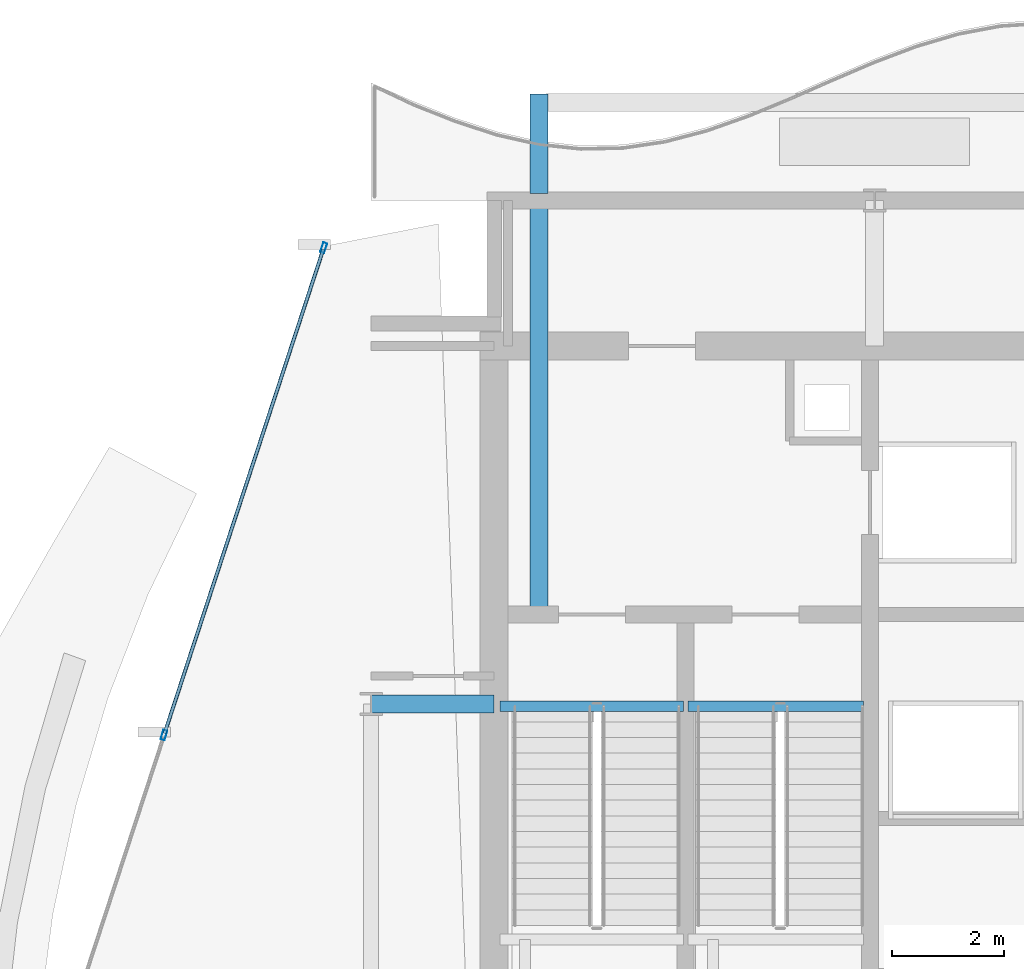
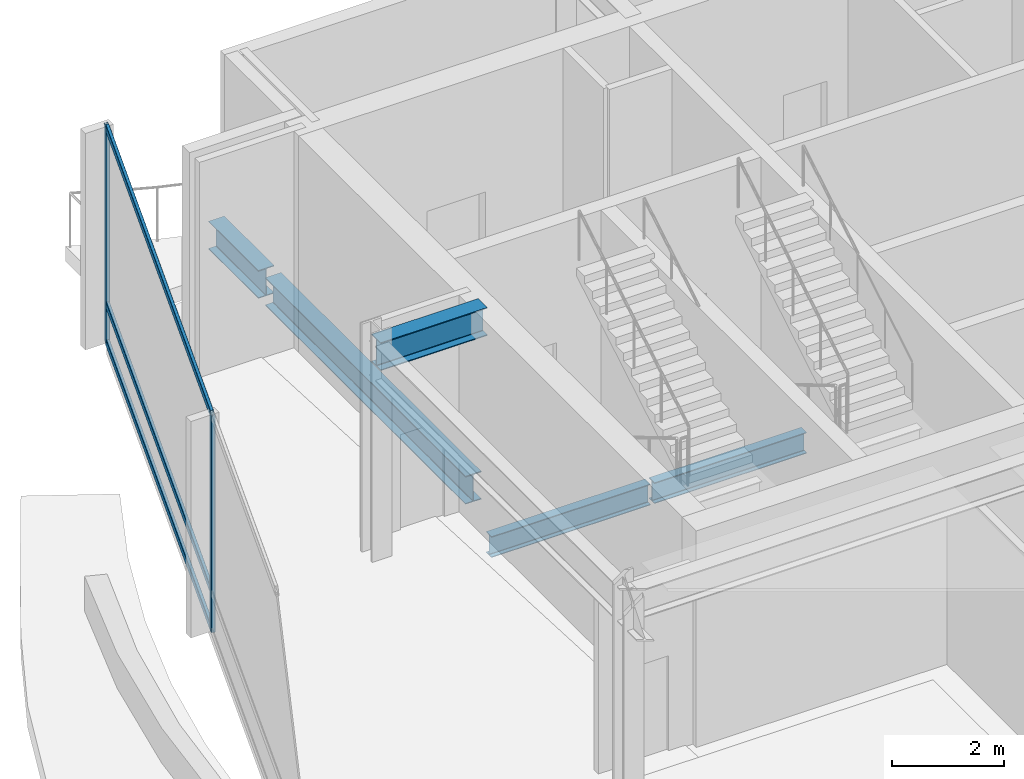
# One storey, part 16 of 29: 5 beams, 5 members, 1 element without a shape of its own.
"""IFC4 building model written with IfcOpenShell, lengths in metres."""

from ifc_helpers import new_model, si_unit, direction, frame, origin, origin_2d, place, context, subcontext, project, spatial, hollow_rectangle, i_section, extrude, material, layer, layer_set, material_profile, profile_set, type_object, element, aggregate, save


model = new_model("IFC4")

# Units and contexts
model_context = context("Model", 3, precision=1e-05, world=origin(), true_north=direction((0.0, 1.0)))
body_context = subcontext(model_context, "Body", "Model", "MODEL_VIEW")
ifc_project = project(units=[si_unit("LENGTHUNIT", "METRE"), si_unit("AREAUNIT", "SQUARE_METRE"), si_unit("VOLUMEUNIT", "CUBIC_METRE"), si_unit("PLANEANGLEUNIT", "RADIAN"), si_unit("MASSUNIT", "GRAM", prefix="KILO")], contexts=[model_context])

# Site, building, storey
site_placement = place(None, origin())
site = spatial("IfcSite", under=ifc_project, at=site_placement, CompositionType="ELEMENT")
building_placement = place(site_placement, origin())
building = spatial("IfcBuilding", under=site, at=building_placement, Name="Solvaryn Broadcast Tower", CompositionType="ELEMENT")
storey_placement = place(building_placement, frame((0.0, 0.0, 169.199951171875)))
storey = spatial("IfcBuildingStorey", under=building, at=storey_placement, Name="L42", CompositionType="ELEMENT", Elevation=169.199951171875)

# Beams
ifc_material_1 = material(Name="Steel ASTM A992 Grade 50", Category="steel")
ifc_material_profile_1 = material_profile(ifc_material_1, i_section(OverallWidth=0.323974609375, OverallDepth=0.611083984375, WebThickness=0.0126953125, FlangeThickness=0.01904296875, FilletRadius=0.014892578125, at=origin_2d()))
ifc_profile_set_1 = profile_set([ifc_material_profile_1], Name="Steel ASTM A992 Grade 50")
beam_type_1 = type_object("IfcBeamType", Name="BM-B1-W24X104", PredefinedType="BEAM", material=ifc_profile_set_1)
beam_1_placement = place(storey_placement, frame((12.0, 37.72509765625, -0.635498046875), z_axis=(0.0, 1.0, 0.0), x_axis=(-1.0, 0.0, 0.0)))
element("IfcBeam", 1, at=beam_1_placement, inside=storey, type_object=beam_type_1, Name="L42 North Terrace Back-Span Beam 12.0", PredefinedType="BEAM", context=body_context, shape_type="SweptSolid", body=[
    extrude(i_section(OverallWidth=0.323974609375, OverallDepth=0.611083984375, WebThickness=0.0126953125, FlangeThickness=0.01904296875, FilletRadius=0.014892578125, at=origin_2d()), origin(), (0.0, 0.0, 1.0), 7.14990234375),
])
beam_2_placement = place(storey_placement, frame((9.0, 36.0, 4.41455078125), z_axis=(1.0, 0.0, 0.0), x_axis=(0.0, 1.0, 0.0)))
element("IfcBeam", 2, at=beam_2_placement, inside=storey, type_object=beam_type_1, Name="L42 Core Tie Beam CTW1", PredefinedType="BEAM", context=body_context, shape_type="SweptSolid", body=[
    extrude(i_section(OverallWidth=0.323974609375, OverallDepth=0.611083984375, WebThickness=0.0126953125, FlangeThickness=0.01904296875, FilletRadius=0.014892578125, at=origin_2d()), origin(), (0.0, 0.0, 1.0), 2.199951171875),
])
ifc_material_2 = material(Name="Steel ASTM A992 Grade 50", Category="steel")
ifc_material_profile_2 = material_profile(ifc_material_2, i_section(OverallWidth=0.18994140625, OverallDepth=0.45703125, WebThickness=0.009033203125, FlangeThickness=0.014404296875, FilletRadius=0.011962890625, at=origin_2d()))
ifc_profile_set_2 = profile_set([ifc_material_profile_2], Name="Steel ASTM A992 Grade 50")
beam_type_2 = type_object("IfcBeamType", Name="BM-B4-W18X50", PredefinedType="BEAM", material=ifc_profile_set_2)
beam_3_placement = place(storey_placement, frame((11.300048828125, 35.9599609375, -0.558349609375), z_axis=(1.0, 0.0, 0.0), x_axis=(0.0, 1.0, 0.0)))
element("IfcBeam", 3, at=beam_3_placement, inside=storey, type_object=beam_type_2, Name="L42 ST1 Stair Well Trimmer Beam", PredefinedType="BEAM", context=body_context, shape_type="SweptSolid", body=[
    extrude(i_section(OverallWidth=0.18994140625, OverallDepth=0.45703125, WebThickness=0.009033203125, FlangeThickness=0.014404296875, FilletRadius=0.011962890625, at=origin_2d()), origin(), (0.0, 0.0, 1.0), 3.280029296875),
])
beam_4_placement = place(storey_placement, frame((14.659912109375, 35.9599609375, -0.558349609375), z_axis=(1.0, 0.0, 0.0), x_axis=(0.0, 1.0, 0.0)))
element("IfcBeam", 4, at=beam_4_placement, inside=storey, type_object=beam_type_2, Name="L42 ST2 Stair Well Trimmer Beam", PredefinedType="BEAM", context=body_context, shape_type="SweptSolid", body=[
    extrude(i_section(OverallWidth=0.18994140625, OverallDepth=0.45703125, WebThickness=0.009033203125, FlangeThickness=0.014404296875, FilletRadius=0.011962890625, at=origin_2d()), origin(), (0.0, 0.0, 1.0), 3.14013671875),
])
ifc_material_3 = material(Name="Steel ASTM A992 Grade 50", Category="steel")
ifc_material_profile_3 = material_profile(ifc_material_3, i_section(OverallWidth=0.323974609375, OverallDepth=0.611083984375, WebThickness=0.0126953125, FlangeThickness=0.01904296875, FilletRadius=0.014892578125, at=origin_2d()))
ifc_profile_set_3 = profile_set([ifc_material_profile_3], Name="Steel ASTM A992 Grade 50")
beam_type_3 = type_object("IfcBeamType", Name="BM-CANT-TER", PredefinedType="BEAM", material=ifc_profile_set_3)
beam_5_placement = place(storey_placement, frame((12.0, 45.125, -0.635498046875), z_axis=(0.0, 1.0, 0.0), x_axis=(-1.0, 0.0, 0.0)))
element("IfcBeam", 5, at=beam_5_placement, inside=storey, type_object=beam_type_3, Name="L42 North Terrace Cantilever Beam 12.0", PredefinedType="BEAM", context=body_context, shape_type="SweptSolid", body=[
    extrude(i_section(OverallWidth=0.323974609375, OverallDepth=0.611083984375, WebThickness=0.0126953125, FlangeThickness=0.01904296875, FilletRadius=0.014892578125, at=origin_2d()), origin(), (0.0, 0.0, 1.0), 1.77490234375),
])

# Curtain wall, members
ifc_material_4 = material(Name="Aluminium and Terracotta Unitised Curtain Wall", Category="masonry")
ifc_layer = layer(ifc_material_4, 0.25)
ifc_layer_set = layer_set([ifc_layer], Name="CW-SYS4-SKYGARDEN")
curtain_wall_type = type_object("IfcCurtainWallType", Name="CW-SYS4-SKYGARDEN", PredefinedType="NOTDEFINED", material=ifc_layer_set)
curtain_wall_placement = place(storey_placement, origin())
curtain_wall = element("IfcCurtainWall", 6, at=curtain_wall_placement, inside=storey, type_object=curtain_wall_type, Name="L42 Curtain Wall DR1", PredefinedType="NOTDEFINED")
ifc_material_5 = material(Name="Anodised Aluminium 6063-T6", Category="aluminium")
ifc_material_profile_4 = material_profile(ifc_material_5, hollow_rectangle(XDim=0.074951171875, YDim=0.179931640625, WallThickness=0.00390625, InnerFilletRadius=0.00390625, OuterFilletRadius=0.008056640625, at=origin_2d()))
ifc_profile_set_4 = profile_set([ifc_material_profile_4], Name="Anodised Aluminium 6063-T6")
member_type_1 = type_object("IfcMemberType", Name="CW-MUL-180", PredefinedType="MULLION", material=ifc_profile_set_4)
member_1_placement = place(storey_placement, frame((8.153564453125, 44.153564453125, 0.0), z_axis=(0.0, 0.0, 1.0), x_axis=(0.950226902099, -0.311558717623, 0.0)))
member_1 = element("IfcMember", 7, at=member_1_placement, type_object=member_type_1, Name="CWS4 mullion 1", PredefinedType="MULLION", context=body_context, shape_type="SweptSolid", body=[
    extrude(hollow_rectangle(XDim=0.074951171875, YDim=0.179931640625, WallThickness=0.00390625, InnerFilletRadius=0.00390625, OuterFilletRadius=0.008056640625, at=origin_2d()), origin(), (0.0, 0.0, 1.0), 4.719970703125),
])
member_2_placement = place(storey_placement, frame((5.298095703125, 35.444091796875, 0.0), z_axis=(0.0, 0.0, 1.0), x_axis=(0.950226902099, -0.311558717623, 0.0)))
member_2 = element("IfcMember", 8, at=member_2_placement, type_object=member_type_1, Name="CWS4 mullion 2", PredefinedType="MULLION", context=body_context, shape_type="SweptSolid", body=[
    extrude(hollow_rectangle(XDim=0.074951171875, YDim=0.179931640625, WallThickness=0.00390625, InnerFilletRadius=0.00390625, OuterFilletRadius=0.008056640625, at=origin_2d()), origin(), (0.0, 0.0, 1.0), 4.719970703125),
])
ifc_material_6 = material(Name="Anodised Aluminium 6063-T6", Category="aluminium")
ifc_material_profile_5 = material_profile(ifc_material_6, hollow_rectangle(XDim=0.06494140625, YDim=0.14990234375, WallThickness=0.00390625, InnerFilletRadius=0.00390625, OuterFilletRadius=0.008056640625, at=origin_2d()))
ifc_profile_set_5 = profile_set([ifc_material_profile_5], Name="Anodised Aluminium 6063-T6")
member_type_2 = type_object("IfcMemberType", Name="CW-TRN-150", PredefinedType="USERDEFINED", material=ifc_profile_set_5)
member_3_placement = place(storey_placement, frame((8.144287109375, 44.125, 0.030029296875), z_axis=(-0.311550669172, -0.950229540973, 0.0), x_axis=(0.950229540973, -0.311550669172, 0.0)))
member_3 = element("IfcMember", 9, at=member_3_placement, type_object=member_type_2, Name="CWS4 transom 1.1", ObjectType="TRANSOM", PredefinedType="USERDEFINED", context=body_context, shape_type="SweptSolid", body=[
    extrude(hollow_rectangle(XDim=0.06494140625, YDim=0.14990234375, WallThickness=0.00390625, InnerFilletRadius=0.00390625, OuterFilletRadius=0.008056640625, at=origin_2d()), origin(), (0.0, 0.0, 1.0), 9.105712890625),
])
member_4_placement = place(storey_placement, frame((8.144287109375, 44.125, 0.85009765625), z_axis=(-0.311550669172, -0.950229540973, 0.0), x_axis=(0.950229540973, -0.311550669172, 0.0)))
member_4 = element("IfcMember", 10, at=member_4_placement, type_object=member_type_2, Name="CWS4 transom 1.2", ObjectType="TRANSOM", PredefinedType="USERDEFINED", context=body_context, shape_type="SweptSolid", body=[
    extrude(hollow_rectangle(XDim=0.06494140625, YDim=0.14990234375, WallThickness=0.00390625, InnerFilletRadius=0.00390625, OuterFilletRadius=0.008056640625, at=origin_2d()), origin(), (0.0, 0.0, 1.0), 9.105712890625),
])
member_5_placement = place(storey_placement, frame((8.144287109375, 44.125, 4.68994140625), z_axis=(-0.311550669172, -0.950229540973, 0.0), x_axis=(0.950229540973, -0.311550669172, 0.0)))
member_5 = element("IfcMember", 11, at=member_5_placement, type_object=member_type_2, Name="CWS4 transom 1.3", ObjectType="TRANSOM", PredefinedType="USERDEFINED", context=body_context, shape_type="SweptSolid", body=[
    extrude(hollow_rectangle(XDim=0.06494140625, YDim=0.14990234375, WallThickness=0.00390625, InnerFilletRadius=0.00390625, OuterFilletRadius=0.008056640625, at=origin_2d()), origin(), (0.0, 0.0, 1.0), 9.105712890625),
])
aggregate(curtain_wall, [member_1, member_2, member_3, member_4, member_5])

save(model, "model.ifc")
